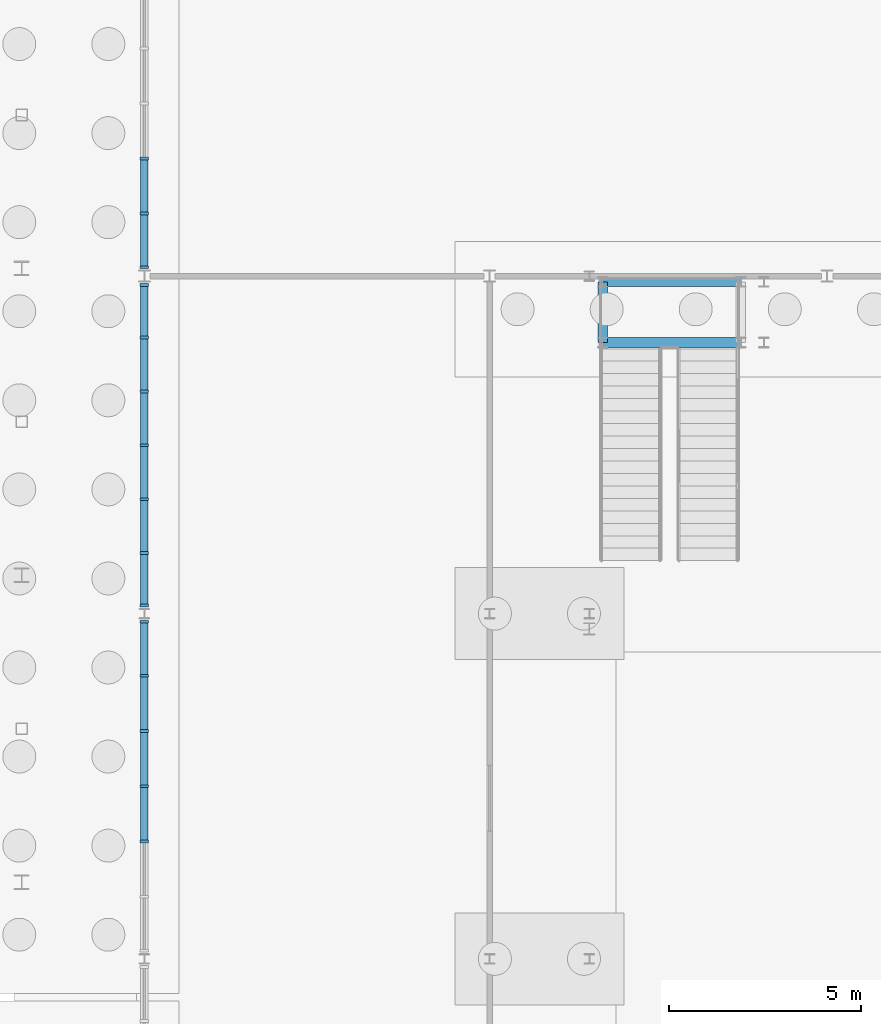
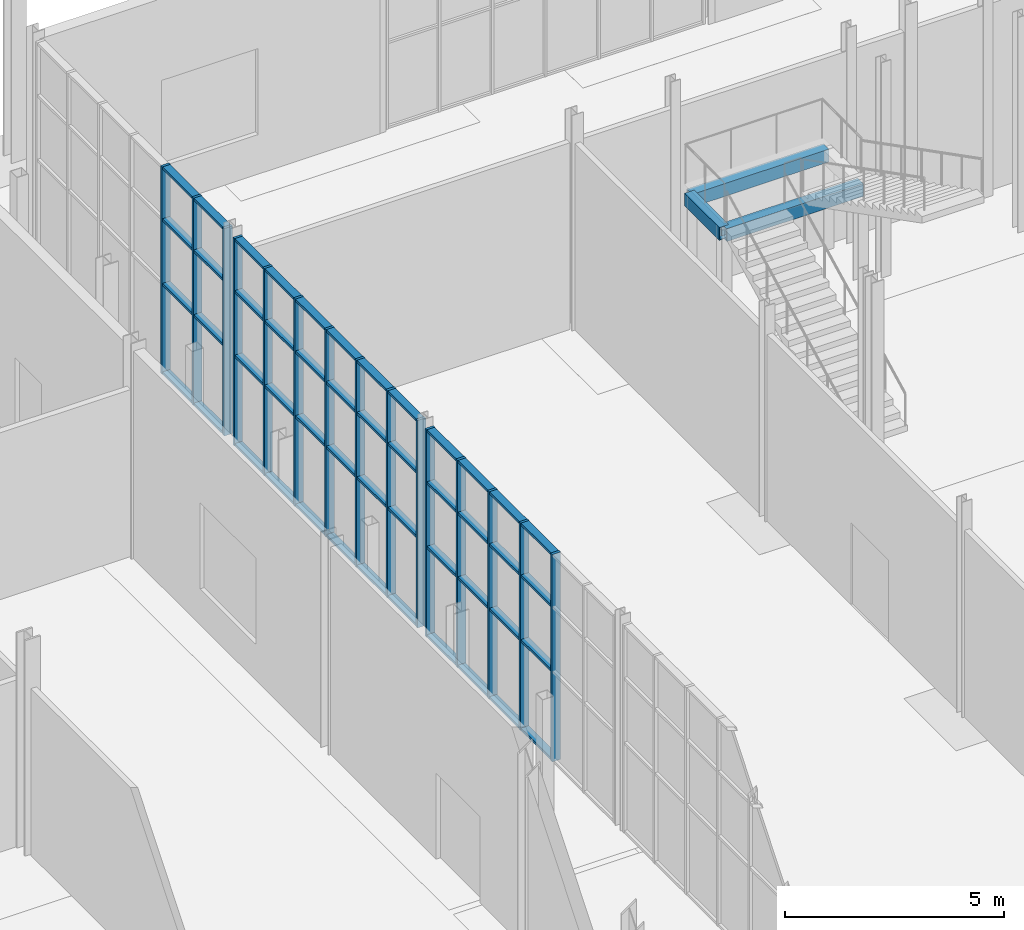
# One storey, part 55 of 131: 63 members, 3 beams, 3 elements without a shape of their own.
"""IFC4 building model written with IfcOpenShell, lengths in metres."""

from ifc_helpers import new_model, si_unit, direction, frame, origin, origin_2d, place, context, subcontext, project, spatial, rectangle, hollow_rectangle, extrude, material, layer, layer_set, material_profile, profile_set, type_object, element, aggregate, save


model = new_model("IFC4")

# Units and contexts
model_context = context("Model", 3, precision=1e-05, world=origin(), true_north=direction((0.0, 1.0)))
body_context = subcontext(model_context, "Body", "Model", "MODEL_VIEW")
ifc_project = project(units=[si_unit("LENGTHUNIT", "METRE"), si_unit("AREAUNIT", "SQUARE_METRE"), si_unit("VOLUMEUNIT", "CUBIC_METRE"), si_unit("PLANEANGLEUNIT", "RADIAN"), si_unit("MASSUNIT", "GRAM", prefix="KILO")], contexts=[model_context])

# Site, building, storey
site_placement = place(None, origin())
site = spatial("IfcSite", under=ifc_project, at=site_placement, CompositionType="ELEMENT")
building_placement = place(site_placement, origin())
building = spatial("IfcBuilding", under=site, at=building_placement, Name="Cazmaro Siding Exhibition Halls", CompositionType="ELEMENT")
storey_placement = place(building_placement, origin())
storey = spatial("IfcBuildingStorey", under=building, at=storey_placement, Name="L00", CompositionType="ELEMENT", Elevation=0.0)

# Beams
ifc_material_1 = material(Name="Steel ASTM A500 Grade C", Category="steel")
ifc_material_profile_1 = material_profile(ifc_material_1, hollow_rectangle(XDim=0.25390625, YDim=0.35595703125, WallThickness=0.014892578125, at=origin_2d()), Name="HSS14X10X5/8")
ifc_profile_set_1 = profile_set([ifc_material_profile_1], Name="Steel ASTM A500 Grade C")
beam_type = type_object("IfcBeamType", Name="B-06", PredefinedType="BEAM", material=ifc_profile_set_1)
for number, where, z_axis, x_axis, name in (
    (1, (60.14990234375, 110.070068359375, 2.6220703125), (1.0, 0.0, 0.0), (0.0, 1.0, 0.0), "Beam B-06 BM-2474"),
    (2, (60.14990234375, 111.64990234375, 2.6220703125), (1.0, 0.0, 0.0), (0.0, 1.0, 0.0), "Beam B-06 BM-2475"),
):
    element("IfcBeam", number, at=place(storey_placement, frame(where, z_axis=z_axis, x_axis=x_axis)), inside=storey, type_object=beam_type, Name=name, PredefinedType="BEAM", context=body_context, shape_type="SweptSolid", body=[
        extrude(hollow_rectangle(XDim=0.25390625, YDim=0.35595703125, WallThickness=0.014892578125, at=origin_2d()), origin(), (0.0, 0.0, 1.0), 3.60009765625),
    ])
beam_placement = place(storey_placement, frame((60.14990234375, 110.070068359375, 2.6220703125), z_axis=(0.0, 1.0, 0.0), x_axis=(-1.0, 0.0, 0.0)))
element("IfcBeam", 3, at=beam_placement, inside=storey, type_object=beam_type, Name="Beam B-06 BM-2476", PredefinedType="BEAM", context=body_context, shape_type="SweptSolid", body=[
    extrude(hollow_rectangle(XDim=0.25390625, YDim=0.35595703125, WallThickness=0.014892578125, at=origin_2d()), origin(), (0.0, 0.0, 1.0), 1.579833984375),
])

# Curtain wall, members
ifc_material_2 = material(Name="Anodized Bronze Aluminum and Solar-Control Low-E Glazing", Category="aluminium")
ifc_layer = layer(ifc_material_2, 0.219970703125)
ifc_layer_set = layer_set([ifc_layer], Name="Anodized Bronze Aluminum and Solar-Control Low-E Glazing")
curtain_wall_type = type_object("IfcCurtainWallType", Name="CWS-03", PredefinedType="USERDEFINED", material=ifc_layer_set)
curtain_wall_1_placement = place(storey_placement, origin())
curtain_wall_1 = element("IfcCurtainWall", 4, at=curtain_wall_1_placement, inside=storey, type_object=curtain_wall_type, Name="Glazed Curtain Wall CWS-03 CW-056", ObjectType="GLAZED CURTAIN WALL", PredefinedType="USERDEFINED")
ifc_material_3 = material(Name="Anodized Bronze Extruded Aluminum", Category="aluminium")
ifc_material_profile_2 = material_profile(ifc_material_3, rectangle(XDim=0.219970703125, YDim=0.070068359375, at=origin_2d()), Name="CWM-03")
ifc_profile_set_2 = profile_set([ifc_material_profile_2], Name="Anodized Bronze Extruded Aluminum")
member_type_1 = type_object("IfcMemberType", Name="CWM-03", PredefinedType="MULLION", material=ifc_profile_set_2)
member_1_placement = place(storey_placement, frame((48.199951171875, 102.7880859375, 0.0), z_axis=(0.0, 0.0, 1.0), x_axis=(1.0, 0.0, 0.0)))
member_1 = element("IfcMember", 5, at=member_1_placement, type_object=member_type_1, Name="CWS-03 mullion 1", PredefinedType="MULLION", context=body_context, shape_type="SweptSolid", body=[
    extrude(rectangle(XDim=0.219970703125, YDim=0.070068359375, at=origin_2d()), origin(), (0.0, 0.0, 1.0), 5.780029296875),
])
member_2_placement = place(storey_placement, frame((48.199951171875, 101.382080078125, 0.0), z_axis=(0.0, 0.0, 1.0), x_axis=(1.0, 0.0, 0.0)))
member_2 = element("IfcMember", 6, at=member_2_placement, type_object=member_type_1, Name="CWS-03 mullion 2", PredefinedType="MULLION", context=body_context, shape_type="SweptSolid", body=[
    extrude(rectangle(XDim=0.219970703125, YDim=0.070068359375, at=origin_2d()), origin(), (0.0, 0.0, 1.0), 5.780029296875),
])
member_3_placement = place(storey_placement, frame((48.199951171875, 99.94091796875, 0.0), z_axis=(0.0, 0.0, 1.0), x_axis=(1.0, 0.0, 0.0)))
member_3 = element("IfcMember", 7, at=member_3_placement, type_object=member_type_1, Name="CWS-03 mullion 3", PredefinedType="MULLION", context=body_context, shape_type="SweptSolid", body=[
    extrude(rectangle(XDim=0.219970703125, YDim=0.070068359375, at=origin_2d()), origin(), (0.0, 0.0, 1.0), 5.780029296875),
])
member_4_placement = place(storey_placement, frame((48.199951171875, 98.5, 0.0), z_axis=(0.0, 0.0, 1.0), x_axis=(1.0, 0.0, 0.0)))
member_4 = element("IfcMember", 8, at=member_4_placement, type_object=member_type_1, Name="CWS-03 mullion 4", PredefinedType="MULLION", context=body_context, shape_type="SweptSolid", body=[
    extrude(rectangle(XDim=0.219970703125, YDim=0.070068359375, at=origin_2d()), origin(), (0.0, 0.0, 1.0), 5.780029296875),
])
member_5_placement = place(storey_placement, frame((48.199951171875, 97.05908203125, 0.0), z_axis=(0.0, 0.0, 1.0), x_axis=(1.0, 0.0, 0.0)))
member_5 = element("IfcMember", 9, at=member_5_placement, type_object=member_type_1, Name="CWS-03 mullion 5", PredefinedType="MULLION", context=body_context, shape_type="SweptSolid", body=[
    extrude(rectangle(XDim=0.219970703125, YDim=0.070068359375, at=origin_2d()), origin(), (0.0, 0.0, 1.0), 5.780029296875),
])

curtain_wall_2_placement = place(storey_placement, origin())
curtain_wall_2 = element("IfcCurtainWall", 10, at=curtain_wall_2_placement, inside=storey, type_object=curtain_wall_type, Name="Glazed Curtain Wall CWS-03 CW-059", ObjectType="GLAZED CURTAIN WALL", PredefinedType="USERDEFINED")
member_6_placement = place(storey_placement, frame((48.199951171875, 111.56689453125, 0.0), z_axis=(0.0, 0.0, 1.0), x_axis=(1.0, 0.0, 0.0)))
member_6 = element("IfcMember", 11, at=member_6_placement, type_object=member_type_1, Name="CWS-03 mullion 1", PredefinedType="MULLION", context=body_context, shape_type="SweptSolid", body=[
    extrude(rectangle(XDim=0.219970703125, YDim=0.070068359375, at=origin_2d()), origin(), (0.0, 0.0, 1.0), 5.780029296875),
])
member_7_placement = place(storey_placement, frame((48.199951171875, 110.19775390625, 0.0), z_axis=(0.0, 0.0, 1.0), x_axis=(1.0, 0.0, 0.0)))
member_7 = element("IfcMember", 12, at=member_7_placement, type_object=member_type_1, Name="CWS-03 mullion 2", PredefinedType="MULLION", context=body_context, shape_type="SweptSolid", body=[
    extrude(rectangle(XDim=0.219970703125, YDim=0.070068359375, at=origin_2d()), origin(), (0.0, 0.0, 1.0), 5.780029296875),
])
member_8_placement = place(storey_placement, frame((48.199951171875, 108.793701171875, 0.0), z_axis=(0.0, 0.0, 1.0), x_axis=(1.0, 0.0, 0.0)))
member_8 = element("IfcMember", 13, at=member_8_placement, type_object=member_type_1, Name="CWS-03 mullion 3", PredefinedType="MULLION", context=body_context, shape_type="SweptSolid", body=[
    extrude(rectangle(XDim=0.219970703125, YDim=0.070068359375, at=origin_2d()), origin(), (0.0, 0.0, 1.0), 5.780029296875),
])
member_9_placement = place(storey_placement, frame((48.199951171875, 107.389404296875, 0.0), z_axis=(0.0, 0.0, 1.0), x_axis=(1.0, 0.0, 0.0)))
member_9 = element("IfcMember", 14, at=member_9_placement, type_object=member_type_1, Name="CWS-03 mullion 4", PredefinedType="MULLION", context=body_context, shape_type="SweptSolid", body=[
    extrude(rectangle(XDim=0.219970703125, YDim=0.070068359375, at=origin_2d()), origin(), (0.0, 0.0, 1.0), 5.780029296875),
])
member_10_placement = place(storey_placement, frame((48.199951171875, 105.9853515625, 0.0), z_axis=(0.0, 0.0, 1.0), x_axis=(1.0, 0.0, 0.0)))
member_10 = element("IfcMember", 15, at=member_10_placement, type_object=member_type_1, Name="CWS-03 mullion 5", PredefinedType="MULLION", context=body_context, shape_type="SweptSolid", body=[
    extrude(rectangle(XDim=0.219970703125, YDim=0.070068359375, at=origin_2d()), origin(), (0.0, 0.0, 1.0), 5.780029296875),
])
member_11_placement = place(storey_placement, frame((48.199951171875, 104.5810546875, 0.0), z_axis=(0.0, 0.0, 1.0), x_axis=(1.0, 0.0, 0.0)))
member_11 = element("IfcMember", 16, at=member_11_placement, type_object=member_type_1, Name="CWS-03 mullion 6", PredefinedType="MULLION", context=body_context, shape_type="SweptSolid", body=[
    extrude(rectangle(XDim=0.219970703125, YDim=0.070068359375, at=origin_2d()), origin(), (0.0, 0.0, 1.0), 5.780029296875),
])
member_12_placement = place(storey_placement, frame((48.199951171875, 103.2119140625, 0.0), z_axis=(0.0, 0.0, 1.0), x_axis=(1.0, 0.0, 0.0)))
member_12 = element("IfcMember", 17, at=member_12_placement, type_object=member_type_1, Name="CWS-03 mullion 7", PredefinedType="MULLION", context=body_context, shape_type="SweptSolid", body=[
    extrude(rectangle(XDim=0.219970703125, YDim=0.070068359375, at=origin_2d()), origin(), (0.0, 0.0, 1.0), 5.780029296875),
])

curtain_wall_3_placement = place(storey_placement, origin())
curtain_wall_3 = element("IfcCurtainWall", 18, at=curtain_wall_3_placement, inside=storey, type_object=curtain_wall_type, Name="Glazed Curtain Wall CWS-03 CW-062", ObjectType="GLAZED CURTAIN WALL", PredefinedType="USERDEFINED")
member_13_placement = place(storey_placement, frame((48.199951171875, 114.865966796875, 0.0), z_axis=(0.0, 0.0, 1.0), x_axis=(1.0, 0.0, 0.0)))
member_13 = element("IfcMember", 19, at=member_13_placement, type_object=member_type_1, Name="CWS-03 mullion 5", PredefinedType="MULLION", context=body_context, shape_type="SweptSolid", body=[
    extrude(rectangle(XDim=0.219970703125, YDim=0.070068359375, at=origin_2d()), origin(), (0.0, 0.0, 1.0), 5.780029296875),
])
member_14_placement = place(storey_placement, frame((48.199951171875, 113.431884765625, 0.0), z_axis=(0.0, 0.0, 1.0), x_axis=(1.0, 0.0, 0.0)))
member_14 = element("IfcMember", 20, at=member_14_placement, type_object=member_type_1, Name="CWS-03 mullion 6", PredefinedType="MULLION", context=body_context, shape_type="SweptSolid", body=[
    extrude(rectangle(XDim=0.219970703125, YDim=0.070068359375, at=origin_2d()), origin(), (0.0, 0.0, 1.0), 5.780029296875),
])
member_15_placement = place(storey_placement, frame((48.199951171875, 112.032958984375, 0.0), z_axis=(0.0, 0.0, 1.0), x_axis=(1.0, 0.0, 0.0)))
member_15 = element("IfcMember", 21, at=member_15_placement, type_object=member_type_1, Name="CWS-03 mullion 7", PredefinedType="MULLION", context=body_context, shape_type="SweptSolid", body=[
    extrude(rectangle(XDim=0.219970703125, YDim=0.070068359375, at=origin_2d()), origin(), (0.0, 0.0, 1.0), 5.780029296875),
])

# Member
ifc_material_4 = material(Name="Anodized Bronze Extruded Aluminum", Category="aluminium")
ifc_material_profile_3 = material_profile(ifc_material_4, rectangle(XDim=0.199951171875, YDim=0.070068359375, at=origin_2d()), Name="CWT-03")
ifc_profile_set_3 = profile_set([ifc_material_profile_3], Name="Anodized Bronze Extruded Aluminum")
member_type_2 = type_object("IfcMemberType", Name="CWT-03", PredefinedType="MULLION", material=ifc_profile_set_3)
member_16_placement = place(storey_placement, frame((48.199951171875, 102.7529296875, 0.034912109375), z_axis=(0.0, -1.0, 0.0), x_axis=(1.0, 0.0, 0.0)))
member_16 = element("IfcMember", 22, at=member_16_placement, type_object=member_type_2, Name="CWS-03 transom 1.1", ObjectType="TRANSOM", PredefinedType="USERDEFINED", context=body_context, shape_type="SweptSolid", body=[
    extrude(rectangle(XDim=0.199951171875, YDim=0.070068359375, at=origin_2d()), origin(), (0.0, 0.0, 1.0), 1.3359375),
])

member_17_placement = place(storey_placement, frame((48.199951171875, 102.7529296875, 2.5), z_axis=(0.0, -1.0, 0.0), x_axis=(1.0, 0.0, 0.0)))
member_17 = element("IfcMember", 23, at=member_17_placement, type_object=member_type_2, Name="CWS-03 transom 1.2", ObjectType="TRANSOM", PredefinedType="USERDEFINED", context=body_context, shape_type="SweptSolid", body=[
    extrude(rectangle(XDim=0.199951171875, YDim=0.070068359375, at=origin_2d()), origin(), (0.0, 0.0, 1.0), 1.3359375),
])

member_18_placement = place(storey_placement, frame((48.199951171875, 102.7529296875, 4.300048828125), z_axis=(0.0, -1.0, 0.0), x_axis=(1.0, 0.0, 0.0)))
member_18 = element("IfcMember", 24, at=member_18_placement, type_object=member_type_2, Name="CWS-03 transom 1.3", ObjectType="TRANSOM", PredefinedType="USERDEFINED", context=body_context, shape_type="SweptSolid", body=[
    extrude(rectangle(XDim=0.199951171875, YDim=0.070068359375, at=origin_2d()), origin(), (0.0, 0.0, 1.0), 1.3359375),
])

member_19_placement = place(storey_placement, frame((48.199951171875, 102.7529296875, 5.7451171875), z_axis=(0.0, -1.0, 0.0), x_axis=(1.0, 0.0, 0.0)))
member_19 = element("IfcMember", 25, at=member_19_placement, type_object=member_type_2, Name="CWS-03 transom 1.4", ObjectType="TRANSOM", PredefinedType="USERDEFINED", context=body_context, shape_type="SweptSolid", body=[
    extrude(rectangle(XDim=0.199951171875, YDim=0.070068359375, at=origin_2d()), origin(), (0.0, 0.0, 1.0), 1.3359375),
])

member_20_placement = place(storey_placement, frame((48.199951171875, 101.346923828125, 0.034912109375), z_axis=(0.0, -1.0, 0.0), x_axis=(1.0, 0.0, 0.0)))
member_20 = element("IfcMember", 26, at=member_20_placement, type_object=member_type_2, Name="CWS-03 transom 2.1", ObjectType="TRANSOM", PredefinedType="USERDEFINED", context=body_context, shape_type="SweptSolid", body=[
    extrude(rectangle(XDim=0.199951171875, YDim=0.070068359375, at=origin_2d()), origin(), (0.0, 0.0, 1.0), 1.370849609375),
])

member_21_placement = place(storey_placement, frame((48.199951171875, 101.346923828125, 2.5), z_axis=(0.0, -1.0, 0.0), x_axis=(1.0, 0.0, 0.0)))
member_21 = element("IfcMember", 27, at=member_21_placement, type_object=member_type_2, Name="CWS-03 transom 2.2", ObjectType="TRANSOM", PredefinedType="USERDEFINED", context=body_context, shape_type="SweptSolid", body=[
    extrude(rectangle(XDim=0.199951171875, YDim=0.070068359375, at=origin_2d()), origin(), (0.0, 0.0, 1.0), 1.370849609375),
])

member_22_placement = place(storey_placement, frame((48.199951171875, 101.346923828125, 4.300048828125), z_axis=(0.0, -1.0, 0.0), x_axis=(1.0, 0.0, 0.0)))
member_22 = element("IfcMember", 28, at=member_22_placement, type_object=member_type_2, Name="CWS-03 transom 2.3", ObjectType="TRANSOM", PredefinedType="USERDEFINED", context=body_context, shape_type="SweptSolid", body=[
    extrude(rectangle(XDim=0.199951171875, YDim=0.070068359375, at=origin_2d()), origin(), (0.0, 0.0, 1.0), 1.370849609375),
])

member_23_placement = place(storey_placement, frame((48.199951171875, 101.346923828125, 5.7451171875), z_axis=(0.0, -1.0, 0.0), x_axis=(1.0, 0.0, 0.0)))
member_23 = element("IfcMember", 29, at=member_23_placement, type_object=member_type_2, Name="CWS-03 transom 2.4", ObjectType="TRANSOM", PredefinedType="USERDEFINED", context=body_context, shape_type="SweptSolid", body=[
    extrude(rectangle(XDim=0.199951171875, YDim=0.070068359375, at=origin_2d()), origin(), (0.0, 0.0, 1.0), 1.370849609375),
])

member_24_placement = place(storey_placement, frame((48.199951171875, 99.906005859375, 0.034912109375), z_axis=(0.0, -1.0, 0.0), x_axis=(1.0, 0.0, 0.0)))
member_24 = element("IfcMember", 30, at=member_24_placement, type_object=member_type_2, Name="CWS-03 transom 3.1", ObjectType="TRANSOM", PredefinedType="USERDEFINED", context=body_context, shape_type="SweptSolid", body=[
    extrude(rectangle(XDim=0.199951171875, YDim=0.070068359375, at=origin_2d()), origin(), (0.0, 0.0, 1.0), 1.37109375),
])

member_25_placement = place(storey_placement, frame((48.199951171875, 99.906005859375, 2.5), z_axis=(0.0, -1.0, 0.0), x_axis=(1.0, 0.0, 0.0)))
member_25 = element("IfcMember", 31, at=member_25_placement, type_object=member_type_2, Name="CWS-03 transom 3.2", ObjectType="TRANSOM", PredefinedType="USERDEFINED", context=body_context, shape_type="SweptSolid", body=[
    extrude(rectangle(XDim=0.199951171875, YDim=0.070068359375, at=origin_2d()), origin(), (0.0, 0.0, 1.0), 1.37109375),
])

member_26_placement = place(storey_placement, frame((48.199951171875, 99.906005859375, 4.300048828125), z_axis=(0.0, -1.0, 0.0), x_axis=(1.0, 0.0, 0.0)))
member_26 = element("IfcMember", 32, at=member_26_placement, type_object=member_type_2, Name="CWS-03 transom 3.3", ObjectType="TRANSOM", PredefinedType="USERDEFINED", context=body_context, shape_type="SweptSolid", body=[
    extrude(rectangle(XDim=0.199951171875, YDim=0.070068359375, at=origin_2d()), origin(), (0.0, 0.0, 1.0), 1.37109375),
])

member_27_placement = place(storey_placement, frame((48.199951171875, 99.906005859375, 5.7451171875), z_axis=(0.0, -1.0, 0.0), x_axis=(1.0, 0.0, 0.0)))
member_27 = element("IfcMember", 33, at=member_27_placement, type_object=member_type_2, Name="CWS-03 transom 3.4", ObjectType="TRANSOM", PredefinedType="USERDEFINED", context=body_context, shape_type="SweptSolid", body=[
    extrude(rectangle(XDim=0.199951171875, YDim=0.070068359375, at=origin_2d()), origin(), (0.0, 0.0, 1.0), 1.37109375),
])

member_28_placement = place(storey_placement, frame((48.199951171875, 98.465087890625, 0.034912109375), z_axis=(0.0, -1.0, 0.0), x_axis=(1.0, 0.0, 0.0)))
member_28 = element("IfcMember", 34, at=member_28_placement, type_object=member_type_2, Name="CWS-03 transom 4.1", ObjectType="TRANSOM", PredefinedType="USERDEFINED", context=body_context, shape_type="SweptSolid", body=[
    extrude(rectangle(XDim=0.199951171875, YDim=0.070068359375, at=origin_2d()), origin(), (0.0, 0.0, 1.0), 1.37109375),
])

member_29_placement = place(storey_placement, frame((48.199951171875, 98.465087890625, 2.5), z_axis=(0.0, -1.0, 0.0), x_axis=(1.0, 0.0, 0.0)))
member_29 = element("IfcMember", 35, at=member_29_placement, type_object=member_type_2, Name="CWS-03 transom 4.2", ObjectType="TRANSOM", PredefinedType="USERDEFINED", context=body_context, shape_type="SweptSolid", body=[
    extrude(rectangle(XDim=0.199951171875, YDim=0.070068359375, at=origin_2d()), origin(), (0.0, 0.0, 1.0), 1.37109375),
])

member_30_placement = place(storey_placement, frame((48.199951171875, 98.465087890625, 4.300048828125), z_axis=(0.0, -1.0, 0.0), x_axis=(1.0, 0.0, 0.0)))
member_30 = element("IfcMember", 36, at=member_30_placement, type_object=member_type_2, Name="CWS-03 transom 4.3", ObjectType="TRANSOM", PredefinedType="USERDEFINED", context=body_context, shape_type="SweptSolid", body=[
    extrude(rectangle(XDim=0.199951171875, YDim=0.070068359375, at=origin_2d()), origin(), (0.0, 0.0, 1.0), 1.37109375),
])

member_31_placement = place(storey_placement, frame((48.199951171875, 98.465087890625, 5.7451171875), z_axis=(0.0, -1.0, 0.0), x_axis=(1.0, 0.0, 0.0)))
member_31 = element("IfcMember", 37, at=member_31_placement, type_object=member_type_2, Name="CWS-03 transom 4.4", ObjectType="TRANSOM", PredefinedType="USERDEFINED", context=body_context, shape_type="SweptSolid", body=[
    extrude(rectangle(XDim=0.199951171875, YDim=0.070068359375, at=origin_2d()), origin(), (0.0, 0.0, 1.0), 1.37109375),
])

aggregate(curtain_wall_1, [member_1, member_2, member_3, member_4, member_5, member_16, member_17, member_18, member_19, member_20, member_21, member_22, member_23, member_24, member_25, member_26, member_27, member_28, member_29, member_30, member_31])

member_32_placement = place(storey_placement, frame((48.199951171875, 111.531982421875, 0.034912109375), z_axis=(0.0, -1.0, 0.0), x_axis=(1.0, 0.0, 0.0)))
member_32 = element("IfcMember", 38, at=member_32_placement, type_object=member_type_2, Name="CWS-03 transom 1.1", ObjectType="TRANSOM", PredefinedType="USERDEFINED", context=body_context, shape_type="SweptSolid", body=[
    extrude(rectangle(XDim=0.199951171875, YDim=0.070068359375, at=origin_2d()), origin(), (0.0, 0.0, 1.0), 1.299072265625),
])

member_33_placement = place(storey_placement, frame((48.199951171875, 111.531982421875, 2.5), z_axis=(0.0, -1.0, 0.0), x_axis=(1.0, 0.0, 0.0)))
member_33 = element("IfcMember", 39, at=member_33_placement, type_object=member_type_2, Name="CWS-03 transom 1.2", ObjectType="TRANSOM", PredefinedType="USERDEFINED", context=body_context, shape_type="SweptSolid", body=[
    extrude(rectangle(XDim=0.199951171875, YDim=0.070068359375, at=origin_2d()), origin(), (0.0, 0.0, 1.0), 1.299072265625),
])

member_34_placement = place(storey_placement, frame((48.199951171875, 111.531982421875, 4.300048828125), z_axis=(0.0, -1.0, 0.0), x_axis=(1.0, 0.0, 0.0)))
member_34 = element("IfcMember", 40, at=member_34_placement, type_object=member_type_2, Name="CWS-03 transom 1.3", ObjectType="TRANSOM", PredefinedType="USERDEFINED", context=body_context, shape_type="SweptSolid", body=[
    extrude(rectangle(XDim=0.199951171875, YDim=0.070068359375, at=origin_2d()), origin(), (0.0, 0.0, 1.0), 1.299072265625),
])

member_35_placement = place(storey_placement, frame((48.199951171875, 111.531982421875, 5.7451171875), z_axis=(0.0, -1.0, 0.0), x_axis=(1.0, 0.0, 0.0)))
member_35 = element("IfcMember", 41, at=member_35_placement, type_object=member_type_2, Name="CWS-03 transom 1.4", ObjectType="TRANSOM", PredefinedType="USERDEFINED", context=body_context, shape_type="SweptSolid", body=[
    extrude(rectangle(XDim=0.199951171875, YDim=0.070068359375, at=origin_2d()), origin(), (0.0, 0.0, 1.0), 1.299072265625),
])

member_36_placement = place(storey_placement, frame((48.199951171875, 110.162841796875, 0.034912109375), z_axis=(0.0, -1.0, 0.0), x_axis=(1.0, 0.0, 0.0)))
member_36 = element("IfcMember", 42, at=member_36_placement, type_object=member_type_2, Name="CWS-03 transom 2.1", ObjectType="TRANSOM", PredefinedType="USERDEFINED", context=body_context, shape_type="SweptSolid", body=[
    extrude(rectangle(XDim=0.199951171875, YDim=0.070068359375, at=origin_2d()), origin(), (0.0, 0.0, 1.0), 1.334228515625),
])

member_37_placement = place(storey_placement, frame((48.199951171875, 110.162841796875, 2.5), z_axis=(0.0, -1.0, 0.0), x_axis=(1.0, 0.0, 0.0)))
member_37 = element("IfcMember", 43, at=member_37_placement, type_object=member_type_2, Name="CWS-03 transom 2.2", ObjectType="TRANSOM", PredefinedType="USERDEFINED", context=body_context, shape_type="SweptSolid", body=[
    extrude(rectangle(XDim=0.199951171875, YDim=0.070068359375, at=origin_2d()), origin(), (0.0, 0.0, 1.0), 1.334228515625),
])

member_38_placement = place(storey_placement, frame((48.199951171875, 110.162841796875, 4.300048828125), z_axis=(0.0, -1.0, 0.0), x_axis=(1.0, 0.0, 0.0)))
member_38 = element("IfcMember", 44, at=member_38_placement, type_object=member_type_2, Name="CWS-03 transom 2.3", ObjectType="TRANSOM", PredefinedType="USERDEFINED", context=body_context, shape_type="SweptSolid", body=[
    extrude(rectangle(XDim=0.199951171875, YDim=0.070068359375, at=origin_2d()), origin(), (0.0, 0.0, 1.0), 1.334228515625),
])

member_39_placement = place(storey_placement, frame((48.199951171875, 110.162841796875, 5.7451171875), z_axis=(0.0, -1.0, 0.0), x_axis=(1.0, 0.0, 0.0)))
member_39 = element("IfcMember", 45, at=member_39_placement, type_object=member_type_2, Name="CWS-03 transom 2.4", ObjectType="TRANSOM", PredefinedType="USERDEFINED", context=body_context, shape_type="SweptSolid", body=[
    extrude(rectangle(XDim=0.199951171875, YDim=0.070068359375, at=origin_2d()), origin(), (0.0, 0.0, 1.0), 1.334228515625),
])

member_40_placement = place(storey_placement, frame((48.199951171875, 108.758544921875, 0.034912109375), z_axis=(0.0, -1.0, 0.0), x_axis=(1.0, 0.0, 0.0)))
member_40 = element("IfcMember", 46, at=member_40_placement, type_object=member_type_2, Name="CWS-03 transom 3.1", ObjectType="TRANSOM", PredefinedType="USERDEFINED", context=body_context, shape_type="SweptSolid", body=[
    extrude(rectangle(XDim=0.199951171875, YDim=0.070068359375, at=origin_2d()), origin(), (0.0, 0.0, 1.0), 1.333984375),
])

member_41_placement = place(storey_placement, frame((48.199951171875, 108.758544921875, 2.5), z_axis=(0.0, -1.0, 0.0), x_axis=(1.0, 0.0, 0.0)))
member_41 = element("IfcMember", 47, at=member_41_placement, type_object=member_type_2, Name="CWS-03 transom 3.2", ObjectType="TRANSOM", PredefinedType="USERDEFINED", context=body_context, shape_type="SweptSolid", body=[
    extrude(rectangle(XDim=0.199951171875, YDim=0.070068359375, at=origin_2d()), origin(), (0.0, 0.0, 1.0), 1.333984375),
])

member_42_placement = place(storey_placement, frame((48.199951171875, 108.758544921875, 4.300048828125), z_axis=(0.0, -1.0, 0.0), x_axis=(1.0, 0.0, 0.0)))
member_42 = element("IfcMember", 48, at=member_42_placement, type_object=member_type_2, Name="CWS-03 transom 3.3", ObjectType="TRANSOM", PredefinedType="USERDEFINED", context=body_context, shape_type="SweptSolid", body=[
    extrude(rectangle(XDim=0.199951171875, YDim=0.070068359375, at=origin_2d()), origin(), (0.0, 0.0, 1.0), 1.333984375),
])

member_43_placement = place(storey_placement, frame((48.199951171875, 108.758544921875, 5.7451171875), z_axis=(0.0, -1.0, 0.0), x_axis=(1.0, 0.0, 0.0)))
member_43 = element("IfcMember", 49, at=member_43_placement, type_object=member_type_2, Name="CWS-03 transom 3.4", ObjectType="TRANSOM", PredefinedType="USERDEFINED", context=body_context, shape_type="SweptSolid", body=[
    extrude(rectangle(XDim=0.199951171875, YDim=0.070068359375, at=origin_2d()), origin(), (0.0, 0.0, 1.0), 1.333984375),
])

member_44_placement = place(storey_placement, frame((48.199951171875, 107.3544921875, 0.034912109375), z_axis=(0.0, -1.0, 0.0), x_axis=(1.0, 0.0, 0.0)))
member_44 = element("IfcMember", 50, at=member_44_placement, type_object=member_type_2, Name="CWS-03 transom 4.1", ObjectType="TRANSOM", PredefinedType="USERDEFINED", context=body_context, shape_type="SweptSolid", body=[
    extrude(rectangle(XDim=0.199951171875, YDim=0.070068359375, at=origin_2d()), origin(), (0.0, 0.0, 1.0), 1.334228515625),
])

member_45_placement = place(storey_placement, frame((48.199951171875, 107.3544921875, 2.5), z_axis=(0.0, -1.0, 0.0), x_axis=(1.0, 0.0, 0.0)))
member_45 = element("IfcMember", 51, at=member_45_placement, type_object=member_type_2, Name="CWS-03 transom 4.2", ObjectType="TRANSOM", PredefinedType="USERDEFINED", context=body_context, shape_type="SweptSolid", body=[
    extrude(rectangle(XDim=0.199951171875, YDim=0.070068359375, at=origin_2d()), origin(), (0.0, 0.0, 1.0), 1.334228515625),
])

member_46_placement = place(storey_placement, frame((48.199951171875, 107.3544921875, 4.300048828125), z_axis=(0.0, -1.0, 0.0), x_axis=(1.0, 0.0, 0.0)))
member_46 = element("IfcMember", 52, at=member_46_placement, type_object=member_type_2, Name="CWS-03 transom 4.3", ObjectType="TRANSOM", PredefinedType="USERDEFINED", context=body_context, shape_type="SweptSolid", body=[
    extrude(rectangle(XDim=0.199951171875, YDim=0.070068359375, at=origin_2d()), origin(), (0.0, 0.0, 1.0), 1.334228515625),
])

member_47_placement = place(storey_placement, frame((48.199951171875, 107.3544921875, 5.7451171875), z_axis=(0.0, -1.0, 0.0), x_axis=(1.0, 0.0, 0.0)))
member_47 = element("IfcMember", 53, at=member_47_placement, type_object=member_type_2, Name="CWS-03 transom 4.4", ObjectType="TRANSOM", PredefinedType="USERDEFINED", context=body_context, shape_type="SweptSolid", body=[
    extrude(rectangle(XDim=0.199951171875, YDim=0.070068359375, at=origin_2d()), origin(), (0.0, 0.0, 1.0), 1.334228515625),
])

member_48_placement = place(storey_placement, frame((48.199951171875, 105.950439453125, 0.034912109375), z_axis=(0.0, -1.0, 0.0), x_axis=(1.0, 0.0, 0.0)))
member_48 = element("IfcMember", 54, at=member_48_placement, type_object=member_type_2, Name="CWS-03 transom 5.1", ObjectType="TRANSOM", PredefinedType="USERDEFINED", context=body_context, shape_type="SweptSolid", body=[
    extrude(rectangle(XDim=0.199951171875, YDim=0.070068359375, at=origin_2d()), origin(), (0.0, 0.0, 1.0), 1.334228515625),
])

member_49_placement = place(storey_placement, frame((48.199951171875, 105.950439453125, 2.5), z_axis=(0.0, -1.0, 0.0), x_axis=(1.0, 0.0, 0.0)))
member_49 = element("IfcMember", 55, at=member_49_placement, type_object=member_type_2, Name="CWS-03 transom 5.2", ObjectType="TRANSOM", PredefinedType="USERDEFINED", context=body_context, shape_type="SweptSolid", body=[
    extrude(rectangle(XDim=0.199951171875, YDim=0.070068359375, at=origin_2d()), origin(), (0.0, 0.0, 1.0), 1.334228515625),
])

member_50_placement = place(storey_placement, frame((48.199951171875, 105.950439453125, 4.300048828125), z_axis=(0.0, -1.0, 0.0), x_axis=(1.0, 0.0, 0.0)))
member_50 = element("IfcMember", 56, at=member_50_placement, type_object=member_type_2, Name="CWS-03 transom 5.3", ObjectType="TRANSOM", PredefinedType="USERDEFINED", context=body_context, shape_type="SweptSolid", body=[
    extrude(rectangle(XDim=0.199951171875, YDim=0.070068359375, at=origin_2d()), origin(), (0.0, 0.0, 1.0), 1.334228515625),
])

member_51_placement = place(storey_placement, frame((48.199951171875, 105.950439453125, 5.7451171875), z_axis=(0.0, -1.0, 0.0), x_axis=(1.0, 0.0, 0.0)))
member_51 = element("IfcMember", 57, at=member_51_placement, type_object=member_type_2, Name="CWS-03 transom 5.4", ObjectType="TRANSOM", PredefinedType="USERDEFINED", context=body_context, shape_type="SweptSolid", body=[
    extrude(rectangle(XDim=0.199951171875, YDim=0.070068359375, at=origin_2d()), origin(), (0.0, 0.0, 1.0), 1.334228515625),
])

member_52_placement = place(storey_placement, frame((48.199951171875, 104.546142578125, 0.034912109375), z_axis=(0.0, -1.0, 0.0), x_axis=(1.0, 0.0, 0.0)))
member_52 = element("IfcMember", 58, at=member_52_placement, type_object=member_type_2, Name="CWS-03 transom 6.1", ObjectType="TRANSOM", PredefinedType="USERDEFINED", context=body_context, shape_type="SweptSolid", body=[
    extrude(rectangle(XDim=0.199951171875, YDim=0.070068359375, at=origin_2d()), origin(), (0.0, 0.0, 1.0), 1.299072265625),
])

member_53_placement = place(storey_placement, frame((48.199951171875, 104.546142578125, 2.5), z_axis=(0.0, -1.0, 0.0), x_axis=(1.0, 0.0, 0.0)))
member_53 = element("IfcMember", 59, at=member_53_placement, type_object=member_type_2, Name="CWS-03 transom 6.2", ObjectType="TRANSOM", PredefinedType="USERDEFINED", context=body_context, shape_type="SweptSolid", body=[
    extrude(rectangle(XDim=0.199951171875, YDim=0.070068359375, at=origin_2d()), origin(), (0.0, 0.0, 1.0), 1.299072265625),
])

member_54_placement = place(storey_placement, frame((48.199951171875, 104.546142578125, 4.300048828125), z_axis=(0.0, -1.0, 0.0), x_axis=(1.0, 0.0, 0.0)))
member_54 = element("IfcMember", 60, at=member_54_placement, type_object=member_type_2, Name="CWS-03 transom 6.3", ObjectType="TRANSOM", PredefinedType="USERDEFINED", context=body_context, shape_type="SweptSolid", body=[
    extrude(rectangle(XDim=0.199951171875, YDim=0.070068359375, at=origin_2d()), origin(), (0.0, 0.0, 1.0), 1.299072265625),
])

member_55_placement = place(storey_placement, frame((48.199951171875, 104.546142578125, 5.7451171875), z_axis=(0.0, -1.0, 0.0), x_axis=(1.0, 0.0, 0.0)))
member_55 = element("IfcMember", 61, at=member_55_placement, type_object=member_type_2, Name="CWS-03 transom 6.4", ObjectType="TRANSOM", PredefinedType="USERDEFINED", context=body_context, shape_type="SweptSolid", body=[
    extrude(rectangle(XDim=0.199951171875, YDim=0.070068359375, at=origin_2d()), origin(), (0.0, 0.0, 1.0), 1.299072265625),
])

aggregate(curtain_wall_2, [member_6, member_7, member_8, member_9, member_10, member_11, member_12, member_32, member_33, member_34, member_35, member_36, member_37, member_38, member_39, member_40, member_41, member_42, member_43, member_44, member_45, member_46, member_47, member_48, member_49, member_50, member_51, member_52, member_53, member_54, member_55])

member_56_placement = place(storey_placement, frame((48.199951171875, 114.8310546875, 0.034912109375), z_axis=(0.0, -1.0, 0.0), x_axis=(1.0, 0.0, 0.0)))
member_56 = element("IfcMember", 62, at=member_56_placement, type_object=member_type_2, Name="CWS-03 transom 5.1", ObjectType="TRANSOM", PredefinedType="USERDEFINED", context=body_context, shape_type="SweptSolid", body=[
    extrude(rectangle(XDim=0.199951171875, YDim=0.070068359375, at=origin_2d()), origin(), (0.0, 0.0, 1.0), 1.364013671875),
])

member_57_placement = place(storey_placement, frame((48.199951171875, 114.8310546875, 2.5), z_axis=(0.0, -1.0, 0.0), x_axis=(1.0, 0.0, 0.0)))
member_57 = element("IfcMember", 63, at=member_57_placement, type_object=member_type_2, Name="CWS-03 transom 5.2", ObjectType="TRANSOM", PredefinedType="USERDEFINED", context=body_context, shape_type="SweptSolid", body=[
    extrude(rectangle(XDim=0.199951171875, YDim=0.070068359375, at=origin_2d()), origin(), (0.0, 0.0, 1.0), 1.364013671875),
])

member_58_placement = place(storey_placement, frame((48.199951171875, 114.8310546875, 4.300048828125), z_axis=(0.0, -1.0, 0.0), x_axis=(1.0, 0.0, 0.0)))
member_58 = element("IfcMember", 64, at=member_58_placement, type_object=member_type_2, Name="CWS-03 transom 5.3", ObjectType="TRANSOM", PredefinedType="USERDEFINED", context=body_context, shape_type="SweptSolid", body=[
    extrude(rectangle(XDim=0.199951171875, YDim=0.070068359375, at=origin_2d()), origin(), (0.0, 0.0, 1.0), 1.364013671875),
])

member_59_placement = place(storey_placement, frame((48.199951171875, 114.8310546875, 5.7451171875), z_axis=(0.0, -1.0, 0.0), x_axis=(1.0, 0.0, 0.0)))
member_59 = element("IfcMember", 65, at=member_59_placement, type_object=member_type_2, Name="CWS-03 transom 5.4", ObjectType="TRANSOM", PredefinedType="USERDEFINED", context=body_context, shape_type="SweptSolid", body=[
    extrude(rectangle(XDim=0.199951171875, YDim=0.070068359375, at=origin_2d()), origin(), (0.0, 0.0, 1.0), 1.364013671875),
])

member_60_placement = place(storey_placement, frame((48.199951171875, 113.39697265625, 0.034912109375), z_axis=(0.0, -1.0, 0.0), x_axis=(1.0, 0.0, 0.0)))
member_60 = element("IfcMember", 66, at=member_60_placement, type_object=member_type_2, Name="CWS-03 transom 6.1", ObjectType="TRANSOM", PredefinedType="USERDEFINED", context=body_context, shape_type="SweptSolid", body=[
    extrude(rectangle(XDim=0.199951171875, YDim=0.070068359375, at=origin_2d()), origin(), (0.0, 0.0, 1.0), 1.328857421875),
])

member_61_placement = place(storey_placement, frame((48.199951171875, 113.39697265625, 2.5), z_axis=(0.0, -1.0, 0.0), x_axis=(1.0, 0.0, 0.0)))
member_61 = element("IfcMember", 67, at=member_61_placement, type_object=member_type_2, Name="CWS-03 transom 6.2", ObjectType="TRANSOM", PredefinedType="USERDEFINED", context=body_context, shape_type="SweptSolid", body=[
    extrude(rectangle(XDim=0.199951171875, YDim=0.070068359375, at=origin_2d()), origin(), (0.0, 0.0, 1.0), 1.328857421875),
])

member_62_placement = place(storey_placement, frame((48.199951171875, 113.39697265625, 4.300048828125), z_axis=(0.0, -1.0, 0.0), x_axis=(1.0, 0.0, 0.0)))
member_62 = element("IfcMember", 68, at=member_62_placement, type_object=member_type_2, Name="CWS-03 transom 6.3", ObjectType="TRANSOM", PredefinedType="USERDEFINED", context=body_context, shape_type="SweptSolid", body=[
    extrude(rectangle(XDim=0.199951171875, YDim=0.070068359375, at=origin_2d()), origin(), (0.0, 0.0, 1.0), 1.328857421875),
])

member_63_placement = place(storey_placement, frame((48.199951171875, 113.39697265625, 5.7451171875), z_axis=(0.0, -1.0, 0.0), x_axis=(1.0, 0.0, 0.0)))
member_63 = element("IfcMember", 69, at=member_63_placement, type_object=member_type_2, Name="CWS-03 transom 6.4", ObjectType="TRANSOM", PredefinedType="USERDEFINED", context=body_context, shape_type="SweptSolid", body=[
    extrude(rectangle(XDim=0.199951171875, YDim=0.070068359375, at=origin_2d()), origin(), (0.0, 0.0, 1.0), 1.328857421875),
])

aggregate(curtain_wall_3, [member_13, member_14, member_15, member_56, member_57, member_58, member_59, member_60, member_61, member_62, member_63])

save(model, "model.ifc")
